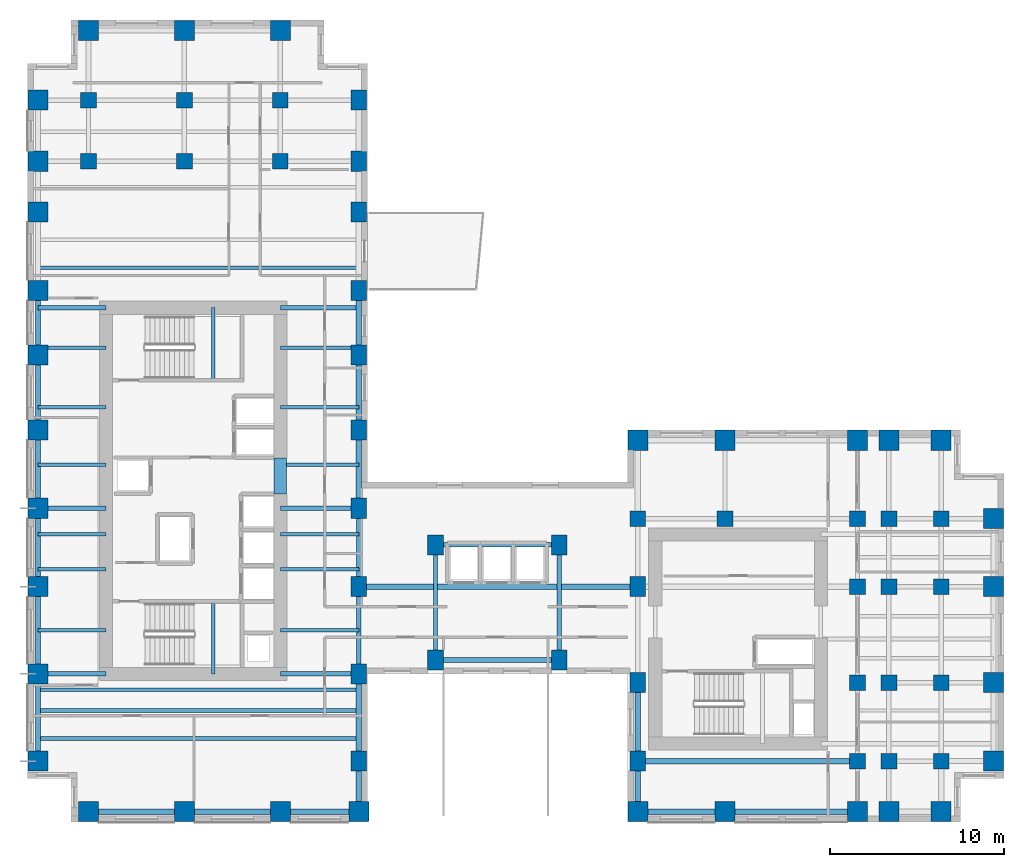
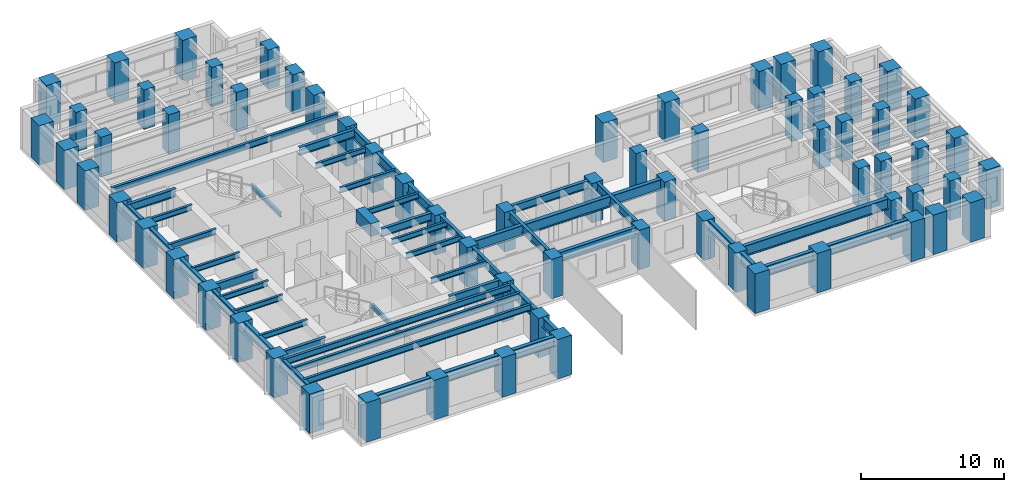
# One storey, part 1 of 11: 68 columns, 51 beams.
"""IFC4 building model written with IfcOpenShell, lengths in metres."""

from ifc_helpers import new_model, si_unit, direction, frame, origin, origin_2d, place, context, subcontext, project, spatial, rectangle, i_section, extrude, source, transform, mapped, material, material_profile, profile_set, type_object, element, save


model = new_model("IFC4")

# Units and contexts
model_context = context("Model", 3, precision=1e-05, world=origin(), true_north=direction((0.0, 1.0)))
body_context = subcontext(model_context, "Body", "Model", "MODEL_VIEW")
ifc_project = project(units=[si_unit("LENGTHUNIT", "METRE"), si_unit("AREAUNIT", "SQUARE_METRE"), si_unit("VOLUMEUNIT", "CUBIC_METRE"), si_unit("PLANEANGLEUNIT", "RADIAN"), si_unit("MASSUNIT", "GRAM", prefix="KILO")], contexts=[model_context])

# Site, building, storey
site_placement = place(None, origin())
site = spatial("IfcSite", under=ifc_project, at=site_placement, CompositionType="ELEMENT")
building_placement = place(site_placement, origin())
building = spatial("IfcBuilding", under=site, at=building_placement, Name="Kharzan Plaza Tower", CompositionType="ELEMENT")
storey_placement = place(building_placement, frame((0.0, 0.0, 113.39990234375)))
storey = spatial("IfcBuildingStorey", under=building, at=storey_placement, Name="L30", CompositionType="ELEMENT", Elevation=113.39990234375)

# Columns
ifc_material_1 = material(Name="Concrete C50/60", Category="concrete")
ifc_material_profile_1 = material_profile(ifc_material_1, rectangle(XDim=0.89990234375, YDim=0.89990234375, at=origin_2d()), Name="RC-IC900x900")
ifc_profile_set_1 = profile_set([ifc_material_profile_1], Name="Concrete C50/60")
column_type_1 = type_object("IfcColumnType", Name="COL-IC900", PredefinedType="COLUMN", material=ifc_profile_set_1)
shared_shape_1 = source(origin(), body_context, "Body", "SweptSolid", [
    extrude(rectangle(XDim=0.89990234375, YDim=0.89990234375, at=origin_2d()), origin(), (0.0, 0.0, 1.0), 3.380126953125),
])
for number, where, z_axis, x_axis, name in (
    (1, (47.60009765625, 13.5, 0.0), (0.0, 0.0, 1.0), (1.0, 0.0, 0.0), "L30 Structural Column TCBI-135"),
    (2, (47.60009765625, 3.5, 0.0), (0.0, 0.0, 1.0), (1.0, 0.0, 0.0), "L30 Structural Column TCBI-35"),
    (3, (47.60009765625, 8.0, 0.0), (0.0, 0.0, 1.0), (1.0, 0.0, 0.0), "L30 Structural Column TCBI-80"),
    (4, (35.0, 17.39990234375, 0.0), (0.0, 0.0, 1.0), (1.0, 0.0, 0.0), "L30 Structural Column TCBN-350-174"),
    (5, (40.0, 17.39990234375, 0.0), (0.0, 0.0, 1.0), (1.0, 0.0, 0.0), "L30 Structural Column TCBN-400-174"),
    (6, (47.60009765625, 17.39990234375, 0.0), (0.0, 0.0, 1.0), (1.0, 0.0, 0.0), "L30 Structural Column TCBN-476-174"),
    (7, (49.39990234375, 13.5, 0.0), (0.0, 0.0, 1.0), (1.0, 0.0, 0.0), "L30 Structural Column TCE-494-135"),
    (8, (49.39990234375, 17.39990234375, 0.0), (0.0, 0.0, 1.0), (1.0, 0.0, 0.0), "L30 Structural Column TCE-494-174"),
    (9, (49.39990234375, 3.5, 0.0), (0.0, 0.0, 1.0), (1.0, 0.0, 0.0), "L30 Structural Column TCE-494-35"),
    (10, (49.39990234375, 8.0, 0.0), (0.0, 0.0, 1.0), (1.0, 0.0, 0.0), "L30 Structural Column TCE-494-80"),
    (11, (52.39990234375, 13.5, 0.0), (0.0, 0.0, 1.0), (1.0, 0.0, 0.0), "L30 Structural Column TCE-524-135"),
    (12, (52.39990234375, 17.39990234375, 0.0), (0.0, 0.0, 1.0), (1.0, 0.0, 0.0), "L30 Structural Column TCE-524-174"),
    (13, (52.39990234375, 3.5, 0.0), (0.0, 0.0, 1.0), (1.0, 0.0, 0.0), "L30 Structural Column TCE-524-35"),
    (14, (52.39990234375, 8.0, 0.0), (0.0, 0.0, 1.0), (1.0, 0.0, 0.0), "L30 Structural Column TCE-524-80"),
    (15, (14.5, 37.89990234375, 0.0), (0.0, 0.0, 1.0), (1.0, 0.0, 0.0), "L30 Structural Column TCN-145-379"),
    (16, (14.5, 41.39990234375, 0.0), (0.0, 0.0, 1.0), (1.0, 0.0, 0.0), "L30 Structural Column TCN-145-414"),
    (17, (3.5, 37.89990234375, 0.0), (0.0, 0.0, 1.0), (1.0, 0.0, 0.0), "L30 Structural Column TCN-35-379"),
    (18, (3.5, 41.39990234375, 0.0), (0.0, 0.0, 1.0), (1.0, 0.0, 0.0), "L30 Structural Column TCN-35-414"),
    (19, (9.0, 37.89990234375, 0.0), (0.0, 0.0, 1.0), (1.0, 0.0, 0.0), "L30 Structural Column TCN-90-379"),
    (20, (9.0, 41.39990234375, 0.0), (0.0, 0.0, 1.0), (1.0, 0.0, 0.0), "L30 Structural Column TCN-90-414"),
):
    element("IfcColumn", number, at=place(storey_placement, frame(where, z_axis=z_axis, x_axis=x_axis)), inside=storey, type_object=column_type_1, Name=name, PredefinedType="COLUMN", context=body_context, shape_type="MappedRepresentation", body=[
        mapped(shared_shape_1, transform((0.0, 0.0, 0.0), x_axis=(1.0, 0.0, 0.0), y_axis=(0.0, 1.0, 0.0), z_axis=(0.0, 0.0, 1.0))),
    ])
ifc_material_2 = material(Name="Concrete C60/75", Category="concrete")
ifc_material_profile_2 = material_profile(ifc_material_2, rectangle(XDim=0.89990234375, YDim=1.14990234375, at=origin_2d()), Name="RC-SC1150x900")
ifc_profile_set_2 = profile_set([ifc_material_profile_2], Name="Concrete C60/75")
column_type_2 = type_object("IfcColumnType", Name="COL-SC1150", PredefinedType="COLUMN", material=ifc_profile_set_2)
shared_shape_2 = source(origin(), body_context, "Body", "SweptSolid", [
    extrude(rectangle(XDim=0.89990234375, YDim=1.14990234375, at=origin_2d()), origin(), (0.0, 0.0, 1.0), 3.380126953125),
])
for number, where, z_axis, x_axis, name in (
    (21, (19.0, 13.5, 0.0), (0.0, 0.0, 1.0), (1.0, 0.0, 0.0), "L30 Structural Column TCA-135"),
    (22, (19.0, 18.0, 0.0), (0.0, 0.0, 1.0), (1.0, 0.0, 0.0), "L30 Structural Column TCA-180"),
    (23, (19.0, 22.5, 0.0), (0.0, 0.0, 1.0), (1.0, 0.0, 0.0), "L30 Structural Column TCA-225"),
    (24, (19.0, 26.800048828125, 0.0), (0.0, 0.0, 1.0), (1.0, 0.0, 0.0), "L30 Structural Column TCA-268"),
    (25, (19.0, 30.5, 0.0), (0.0, 0.0, 1.0), (1.0, 0.0, 0.0), "L30 Structural Column TCA-305"),
    (26, (19.0, 3.5, 0.0), (0.0, 0.0, 1.0), (1.0, 0.0, 0.0), "L30 Structural Column TCA-35"),
    (27, (19.0, 35.0, 0.0), (0.0, 0.0, 1.0), (1.0, 0.0, 0.0), "L30 Structural Column TCA-350"),
    (28, (19.0, 37.89990234375, 0.0), (0.0, 0.0, 1.0), (1.0, 0.0, 0.0), "L30 Structural Column TCA-379"),
    (29, (19.0, 41.39990234375, 0.0), (0.0, 0.0, 1.0), (1.0, 0.0, 0.0), "L30 Structural Column TCA-414"),
    (30, (19.0, 8.5, 0.0), (0.0, 0.0, 1.0), (1.0, 0.0, 0.0), "L30 Structural Column TCA-85"),
    (31, (35.0, 13.5, 0.0), (0.0, 0.0, 1.0), (1.0, 0.0, 0.0), "L30 Structural Column TCBS-135"),
    (32, (35.0, 3.5, 0.0), (0.0, 0.0, 1.0), (1.0, 0.0, 0.0), "L30 Structural Column TCBS-35"),
    (33, (35.0, 8.0, 0.0), (0.0, 0.0, 1.0), (1.0, 0.0, 0.0), "L30 Structural Column TCBS-80"),
    (34, (23.39990234375, 15.89990234375, 0.0), (0.0, 0.0, 1.0), (1.0, 0.0, 0.0), "L30 Structural Column TCSP-234-159"),
    (35, (23.39990234375, 9.300048828125, 0.0), (0.0, 0.0, 1.0), (1.0, 0.0, 0.0), "L30 Structural Column TCSP-234-93"),
    (36, (30.5, 15.89990234375, 0.0), (0.0, 0.0, 1.0), (1.0, 0.0, 0.0), "L30 Structural Column TCSP-305-159"),
    (37, (30.5, 9.300048828125, 0.0), (0.0, 0.0, 1.0), (1.0, 0.0, 0.0), "L30 Structural Column TCSP-305-93"),
):
    element("IfcColumn", number, at=place(storey_placement, frame(where, z_axis=z_axis, x_axis=x_axis)), inside=storey, type_object=column_type_2, Name=name, PredefinedType="COLUMN", context=body_context, shape_type="MappedRepresentation", body=[
        mapped(shared_shape_2, transform((0.0, 0.0, 0.0), x_axis=(1.0, 0.0, 0.0), y_axis=(0.0, 1.0, 0.0), z_axis=(0.0, 0.0, 1.0))),
    ])
ifc_material_profile_3 = material_profile(ifc_material_2, rectangle(XDim=1.14990234375, YDim=1.14990234375, at=origin_2d()), Name="RC-TC1150x1150")
ifc_profile_set_3 = profile_set([ifc_material_profile_3], Name="Concrete C60/75")
column_type_3 = type_object("IfcColumnType", Name="COL-TC1150", PredefinedType="COLUMN", material=ifc_profile_set_3)
shared_shape_3 = source(origin(), body_context, "Body", "SweptSolid", [
    extrude(rectangle(XDim=1.14990234375, YDim=1.14990234375, at=origin_2d()), origin(), (0.0, 0.0, 1.0), 3.380126953125),
])
for number, where, z_axis, x_axis, name in (
    (38, (35.0, 21.89990234375, 0.0), (0.0, 0.0, 1.0), (1.0, 0.0, 0.0), "L30 Structural Column TCBN-350-219"),
    (39, (40.0, 21.89990234375, 0.0), (0.0, 0.0, 1.0), (1.0, 0.0, 0.0), "L30 Structural Column TCBN-400-219"),
    (40, (47.60009765625, 21.89990234375, 0.0), (0.0, 0.0, 1.0), (1.0, 0.0, 0.0), "L30 Structural Column TCBN-476-219"),
    (41, (49.39990234375, 21.89990234375, 0.0), (0.0, 0.0, 1.0), (1.0, 0.0, 0.0), "L30 Structural Column TCBN-494-219"),
    (42, (52.39990234375, 21.89990234375, 0.0), (0.0, 0.0, 1.0), (1.0, 0.0, 0.0), "L30 Structural Column TCBN-524-219"),
    (43, (55.39990234375, 13.5, 0.0), (0.0, 0.0, 1.0), (1.0, 0.0, 0.0), "L30 Structural Column TCE-554-135"),
    (44, (55.39990234375, 17.39990234375, 0.0), (0.0, 0.0, 1.0), (1.0, 0.0, 0.0), "L30 Structural Column TCE-554-174"),
    (45, (55.39990234375, 3.5, 0.0), (0.0, 0.0, 1.0), (1.0, 0.0, 0.0), "L30 Structural Column TCE-554-35"),
    (46, (55.39990234375, 8.0, 0.0), (0.0, 0.0, 1.0), (1.0, 0.0, 0.0), "L30 Structural Column TCE-554-80"),
    (47, (14.5, 45.39990234375, 0.0), (0.0, 0.0, 1.0), (1.0, 0.0, 0.0), "L30 Structural Column TCN-145-454"),
    (48, (3.5, 45.39990234375, 0.0), (0.0, 0.0, 1.0), (1.0, 0.0, 0.0), "L30 Structural Column TCN-35-454"),
    (49, (9.0, 45.39990234375, 0.0), (0.0, 0.0, 1.0), (1.0, 0.0, 0.0), "L30 Structural Column TCN-90-454"),
    (50, (14.5, 0.60009765625, 0.0), (0.0, 0.0, 1.0), (1.0, 0.0, 0.0), "L30 Structural Column TCS-145"),
    (51, (19.0, 0.60009765625, 0.0), (0.0, 0.0, 1.0), (1.0, 0.0, 0.0), "L30 Structural Column TCS-190"),
    (52, (3.5, 0.60009765625, 0.0), (0.0, 0.0, 1.0), (1.0, 0.0, 0.0), "L30 Structural Column TCS-35"),
    (53, (35.0, 0.60009765625, 0.0), (0.0, 0.0, 1.0), (1.0, 0.0, 0.0), "L30 Structural Column TCS-350"),
    (54, (40.0, 0.60009765625, 0.0), (0.0, 0.0, 1.0), (1.0, 0.0, 0.0), "L30 Structural Column TCS-400"),
    (55, (47.60009765625, 0.60009765625, 0.0), (0.0, 0.0, 1.0), (1.0, 0.0, 0.0), "L30 Structural Column TCS-476"),
    (56, (49.39990234375, 0.60009765625, 0.0), (0.0, 0.0, 1.0), (1.0, 0.0, 0.0), "L30 Structural Column TCS-494"),
    (57, (52.39990234375, 0.60009765625, 0.0), (0.0, 0.0, 1.0), (1.0, 0.0, 0.0), "L30 Structural Column TCS-524"),
    (58, (9.0, 0.60009765625, 0.0), (0.0, 0.0, 1.0), (1.0, 0.0, 0.0), "L30 Structural Column TCS-90"),
    (59, (0.60009765625, 13.5, 0.0), (0.0, 0.0, 1.0), (1.0, 0.0, 0.0), "L30 Structural Column TCW-135"),
    (60, (0.60009765625, 18.0, 0.0), (0.0, 0.0, 1.0), (1.0, 0.0, 0.0), "L30 Structural Column TCW-180"),
    (61, (0.60009765625, 22.5, 0.0), (0.0, 0.0, 1.0), (1.0, 0.0, 0.0), "L30 Structural Column TCW-225"),
    (62, (0.60009765625, 26.800048828125, 0.0), (0.0, 0.0, 1.0), (1.0, 0.0, 0.0), "L30 Structural Column TCW-268"),
    (63, (0.60009765625, 30.5, 0.0), (0.0, 0.0, 1.0), (1.0, 0.0, 0.0), "L30 Structural Column TCW-305"),
    (64, (0.60009765625, 3.5, 0.0), (0.0, 0.0, 1.0), (1.0, 0.0, 0.0), "L30 Structural Column TCW-35"),
    (65, (0.60009765625, 35.0, 0.0), (0.0, 0.0, 1.0), (1.0, 0.0, 0.0), "L30 Structural Column TCW-350"),
    (66, (0.60009765625, 37.89990234375, 0.0), (0.0, 0.0, 1.0), (1.0, 0.0, 0.0), "L30 Structural Column TCW-379"),
    (67, (0.60009765625, 41.39990234375, 0.0), (0.0, 0.0, 1.0), (1.0, 0.0, 0.0), "L30 Structural Column TCW-414"),
    (68, (0.60009765625, 8.5, 0.0), (0.0, 0.0, 1.0), (1.0, 0.0, 0.0), "L30 Structural Column TCW-85"),
):
    element("IfcColumn", number, at=place(storey_placement, frame(where, z_axis=z_axis, x_axis=x_axis)), inside=storey, type_object=column_type_3, Name=name, PredefinedType="COLUMN", context=body_context, shape_type="MappedRepresentation", body=[
        mapped(shared_shape_3, transform((0.0, 0.0, 0.0), x_axis=(1.0, 0.0, 0.0), y_axis=(0.0, 1.0, 0.0), z_axis=(0.0, 0.0, 1.0))),
    ])

# Beams
ifc_material_profile_4 = material_profile(ifc_material_2, rectangle(XDim=0.699951171875, YDim=1.10009765625, at=origin_2d()), Name="RC-CB1100x700")
ifc_profile_set_4 = profile_set([ifc_material_profile_4], Name="Concrete C60/75")
beam_type_1 = type_object("IfcBeamType", Name="BM-RCCB1100", PredefinedType="LINTEL", material=ifc_profile_set_4)
shared_shape_4 = source(origin(), body_context, "Body", "SweptSolid", [
    extrude(rectangle(XDim=0.699951171875, YDim=1.10009765625, at=origin_2d()), origin(), (0.0, 0.0, 1.0), 2.059814453125),
])
beam_1_placement = place(storey_placement, frame((14.5, 18.820068359375, 2.830078125), z_axis=(0.0, 1.0, 0.0), x_axis=(-1.0, 0.0, 0.0)))
element("IfcBeam", 69, at=beam_1_placement, inside=storey, type_object=beam_type_1, Name="L30 CORE-A RC coupling beam CB1", PredefinedType="LINTEL", context=body_context, shape_type="MappedRepresentation", body=[
    mapped(shared_shape_4, transform((0.0, 0.0, 0.0), x_axis=(1.0, 0.0, 0.0), y_axis=(0.0, 1.0, 0.0), z_axis=(0.0, 0.0, 1.0))),
])
ifc_material_3 = material(Name="Steel S355", Category="steel")
ifc_material_profile_5 = material_profile(ifc_material_3, i_section(OverallWidth=0.205078125, OverallDepth=0.35400390625, WebThickness=0.009521484375, FlangeThickness=0.016845703125, at=origin_2d()), Name="W360x79")
ifc_profile_set_5 = profile_set([ifc_material_profile_5], Name="Steel S355")
beam_type_2 = type_object("IfcBeamType", Name="BM-LNT360", PredefinedType="LINTEL", material=ifc_profile_set_5)
shared_shape_5 = source(origin(), body_context, "Body", "SweptSolid", [
    extrude(i_section(OverallWidth=0.205078125, OverallDepth=0.35400390625, WebThickness=0.009521484375, FlangeThickness=0.016845703125, at=origin_2d()), origin(), (0.0, 0.0, 1.0), 4.155029296875),
])
for number, where, z_axis, x_axis, name in (
    (70, (10.64990234375, 8.5, 1.423095703125), (0.0, 1.0, 0.0), (-1.0, 0.0, 0.0), "L30 Stair ST-1 Half-Landing Beam"),
    (71, (10.64990234375, 25.344970703125, 1.423095703125), (0.0, 1.0, 0.0), (-1.0, 0.0, 0.0), "L30 Stair ST-2 Half-Landing Beam"),
):
    element("IfcBeam", number, at=place(storey_placement, frame(where, z_axis=z_axis, x_axis=x_axis)), inside=storey, type_object=beam_type_2, Name=name, PredefinedType="LINTEL", context=body_context, shape_type="MappedRepresentation", body=[
        mapped(shared_shape_5, transform((0.0, 0.0, 0.0), x_axis=(1.0, 0.0, 0.0), y_axis=(0.0, 1.0, 0.0), z_axis=(0.0, 0.0, 1.0))),
    ])
ifc_material_profile_6 = material_profile(ifc_material_3, i_section(OverallWidth=0.304931640625, OverallDepth=0.9189453125, WebThickness=0.017333984375, FlangeThickness=0.02783203125, at=origin_2d()), Name="W920x253")
ifc_profile_set_6 = profile_set([ifc_material_profile_6], Name="Steel S355")
beam_type_3 = type_object("IfcBeamType", Name="BM-FG920B", PredefinedType="BEAM", material=ifc_profile_set_6)
shared_shape_6 = source(origin(), body_context, "Body", "SweptSolid", [
    extrude(i_section(OverallWidth=0.304931640625, OverallDepth=0.9189453125, WebThickness=0.017333984375, FlangeThickness=0.02783203125, at=origin_2d()), origin(), (0.0, 0.0, 1.0), 12.60009765625),
])
beam_2_placement = place(storey_placement, frame((35.0, 3.5, 2.920654296875), z_axis=(1.0, 0.0, 0.0), x_axis=(0.0, 1.0, 0.0)))
element("IfcBeam", 72, at=beam_2_placement, inside=storey, type_object=beam_type_3, Name="L30 Primary Floor Girder", PredefinedType="BEAM", context=body_context, shape_type="MappedRepresentation", body=[
    mapped(shared_shape_6, transform((0.0, 0.0, 0.0), x_axis=(1.0, 0.0, 0.0), y_axis=(0.0, 1.0, 0.0), z_axis=(0.0, 0.0, 1.0))),
])
shared_shape_7 = source(origin(), body_context, "Body", "SweptSolid", [
    extrude(i_section(OverallWidth=0.304931640625, OverallDepth=0.9189453125, WebThickness=0.017333984375, FlangeThickness=0.02783203125, at=origin_2d()), origin(), (0.0, 0.0, 1.0), 16.0),
])
beam_3_placement = place(storey_placement, frame((19.0, 13.5, 2.920654296875), z_axis=(1.0, 0.0, 0.0), x_axis=(0.0, 1.0, 0.0)))
element("IfcBeam", 73, at=beam_3_placement, inside=storey, type_object=beam_type_3, Name="L30 Primary Floor Girder", PredefinedType="BEAM", context=body_context, shape_type="MappedRepresentation", body=[
    mapped(shared_shape_7, transform((0.0, 0.0, 0.0), x_axis=(1.0, 0.0, 0.0), y_axis=(0.0, 1.0, 0.0), z_axis=(0.0, 0.0, 1.0))),
])
ifc_material_profile_7 = material_profile(ifc_material_3, i_section(OverallWidth=0.2099609375, OverallDepth=0.537109375, WebThickness=0.010986328125, FlangeThickness=0.017333984375, at=origin_2d()), Name="W530x101")
ifc_profile_set_7 = profile_set([ifc_material_profile_7], Name="Steel S355")
beam_type_4 = type_object("IfcBeamType", Name="BM-JST530B", PredefinedType="JOIST", material=ifc_profile_set_7)
shared_shape_8 = source(origin(), body_context, "Body", "SweptSolid", [
    extrude(i_section(OverallWidth=0.2099609375, OverallDepth=0.537109375, WebThickness=0.010986328125, FlangeThickness=0.017333984375, at=origin_2d()), origin(), (0.0, 0.0, 1.0), 18.39990234375),
])
for number, where, z_axis, x_axis, name in (
    (74, (0.60009765625, 4.800048828125, 3.111572265625), (1.0, 0.0, 0.0), (0.0, 1.0, 0.0), "L30 Wing A Composite Joist 01"),
    (75, (0.60009765625, 6.39990234375, 3.111572265625), (1.0, 0.0, 0.0), (0.0, 1.0, 0.0), "L30 Wing A Composite Joist 02"),
    (76, (0.60009765625, 7.60009765625, 3.111572265625), (1.0, 0.0, 0.0), (0.0, 1.0, 0.0), "L30 Wing A Composite Joist 03"),
    (77, (0.60009765625, 31.800048828125, 3.111572265625), (1.0, 0.0, 0.0), (0.0, 1.0, 0.0), "L30 Wing A Composite Joist 04"),
):
    element("IfcBeam", number, at=place(storey_placement, frame(where, z_axis=z_axis, x_axis=x_axis)), inside=storey, type_object=beam_type_4, Name=name, PredefinedType="JOIST", context=body_context, shape_type="MappedRepresentation", body=[
        mapped(shared_shape_8, transform((0.0, 0.0, 0.0), x_axis=(1.0, 0.0, 0.0), y_axis=(0.0, 1.0, 0.0), z_axis=(0.0, 0.0, 1.0))),
    ])
ifc_material_profile_8 = material_profile(ifc_material_3, i_section(OverallWidth=0.194091796875, OverallDepth=0.468994140625, WebThickness=0.011474609375, FlangeThickness=0.0205078125, at=origin_2d()), Name="W460x106")
ifc_profile_set_8 = profile_set([ifc_material_profile_8], Name="Steel S355")
beam_type_5 = type_object("IfcBeamType", Name="BM-JST460", PredefinedType="JOIST", material=ifc_profile_set_8)
shared_shape_9 = source(origin(), body_context, "Body", "SweptSolid", [
    extrude(i_section(OverallWidth=0.194091796875, OverallDepth=0.468994140625, WebThickness=0.011474609375, FlangeThickness=0.0205078125, at=origin_2d()), origin(), (0.0, 0.0, 1.0), 4.5),
])
for number, where, z_axis, x_axis, name in (
    (78, (14.5, 11.0, 3.1455078125), (1.0, 0.0, 0.0), (0.0, 1.0, 0.0), "L30 Wing A East Infill Joist 1"),
    (79, (14.5, 14.5, 3.1455078125), (1.0, 0.0, 0.0), (0.0, 1.0, 0.0), "L30 Wing A East Infill Joist 2"),
    (80, (14.5, 16.5, 3.1455078125), (1.0, 0.0, 0.0), (0.0, 1.0, 0.0), "L30 Wing A East Infill Joist 3"),
    (81, (14.5, 20.5, 3.1455078125), (1.0, 0.0, 0.0), (0.0, 1.0, 0.0), "L30 Wing A East Infill Joist 4"),
    (82, (14.5, 23.800048828125, 3.1455078125), (1.0, 0.0, 0.0), (0.0, 1.0, 0.0), "L30 Wing A East Infill Joist 5"),
    (83, (14.5, 27.199951171875, 3.1455078125), (1.0, 0.0, 0.0), (0.0, 1.0, 0.0), "L30 Wing A East Infill Joist 6"),
):
    element("IfcBeam", number, at=place(storey_placement, frame(where, z_axis=z_axis, x_axis=x_axis)), inside=storey, type_object=beam_type_5, Name=name, PredefinedType="JOIST", context=body_context, shape_type="MappedRepresentation", body=[
        mapped(shared_shape_9, transform((0.0, 0.0, 0.0), x_axis=(1.0, 0.0, 0.0), y_axis=(0.0, 1.0, 0.0), z_axis=(0.0, 0.0, 1.0))),
    ])
shared_shape_10 = source(origin(), body_context, "Body", "SweptSolid", [
    extrude(i_section(OverallWidth=0.194091796875, OverallDepth=0.468994140625, WebThickness=0.011474609375, FlangeThickness=0.0205078125, at=origin_2d()), origin(), (0.0, 0.0, 1.0), 3.89990234375),
])
for number, where, z_axis, x_axis, name in (
    (84, (0.60009765625, 11.0, 3.1455078125), (1.0, 0.0, 0.0), (0.0, 1.0, 0.0), "L30 Wing A West Infill Joist 1"),
    (85, (0.60009765625, 14.5, 3.1455078125), (1.0, 0.0, 0.0), (0.0, 1.0, 0.0), "L30 Wing A West Infill Joist 2"),
    (86, (0.60009765625, 16.5, 3.1455078125), (1.0, 0.0, 0.0), (0.0, 1.0, 0.0), "L30 Wing A West Infill Joist 3"),
    (87, (0.60009765625, 20.5, 3.1455078125), (1.0, 0.0, 0.0), (0.0, 1.0, 0.0), "L30 Wing A West Infill Joist 4"),
    (88, (0.60009765625, 23.800048828125, 3.1455078125), (1.0, 0.0, 0.0), (0.0, 1.0, 0.0), "L30 Wing A West Infill Joist 5"),
    (89, (0.60009765625, 27.199951171875, 3.1455078125), (1.0, 0.0, 0.0), (0.0, 1.0, 0.0), "L30 Wing A West Infill Joist 6"),
):
    element("IfcBeam", number, at=place(storey_placement, frame(where, z_axis=z_axis, x_axis=x_axis)), inside=storey, type_object=beam_type_5, Name=name, PredefinedType="JOIST", context=body_context, shape_type="MappedRepresentation", body=[
        mapped(shared_shape_10, transform((0.0, 0.0, 0.0), x_axis=(1.0, 0.0, 0.0), y_axis=(0.0, 1.0, 0.0), z_axis=(0.0, 0.0, 1.0))),
    ])
ifc_material_profile_9 = material_profile(ifc_material_3, i_section(OverallWidth=0.25390625, OverallDepth=0.68798828125, WebThickness=0.01318359375, FlangeThickness=0.02099609375, at=origin_2d()), Name="W690x152")
ifc_profile_set_9 = profile_set([ifc_material_profile_9], Name="Steel S355")
beam_type_6 = type_object("IfcBeamType", Name="BM-FG690B", PredefinedType="BEAM", material=ifc_profile_set_9)
shared_shape_11 = source(origin(), body_context, "Body", "SweptSolid", [
    extrude(i_section(OverallWidth=0.25390625, OverallDepth=0.68798828125, WebThickness=0.01318359375, FlangeThickness=0.02099609375, at=origin_2d()), origin(), (0.0, 0.0, 1.0), 4.5),
])
for number, where, z_axis, x_axis, name in (
    (90, (14.5, 8.5, 3.0361328125), (1.0, 0.0, 0.0), (0.0, 1.0, 0.0), "L30 Core-A East Floor Girder 1"),
    (91, (14.5, 18.0, 3.0361328125), (1.0, 0.0, 0.0), (0.0, 1.0, 0.0), "L30 Core-A East Floor Girder 2"),
    (92, (14.5, 29.5, 3.0361328125), (1.0, 0.0, 0.0), (0.0, 1.0, 0.0), "L30 Core-A East Floor Girder 3"),
    (93, (19.0, 13.5, 3.0361328125), (0.0, 1.0, 0.0), (-1.0, 0.0, 0.0), "L30 Interior Frame Girder"),
):
    element("IfcBeam", number, at=place(storey_placement, frame(where, z_axis=z_axis, x_axis=x_axis)), inside=storey, type_object=beam_type_6, Name=name, PredefinedType="BEAM", context=body_context, shape_type="MappedRepresentation", body=[
        mapped(shared_shape_11, transform((0.0, 0.0, 0.0), x_axis=(1.0, 0.0, 0.0), y_axis=(0.0, 1.0, 0.0), z_axis=(0.0, 0.0, 1.0))),
    ])
shared_shape_12 = source(origin(), body_context, "Body", "SweptSolid", [
    extrude(i_section(OverallWidth=0.25390625, OverallDepth=0.68798828125, WebThickness=0.01318359375, FlangeThickness=0.02099609375, at=origin_2d()), origin(), (0.0, 0.0, 1.0), 3.89990234375),
])
for number, where, z_axis, x_axis, name in (
    (94, (0.60009765625, 8.5, 3.0361328125), (1.0, 0.0, 0.0), (0.0, 1.0, 0.0), "L30 Core-A West Floor Girder 1"),
    (95, (0.60009765625, 18.0, 3.0361328125), (1.0, 0.0, 0.0), (0.0, 1.0, 0.0), "L30 Core-A West Floor Girder 2"),
    (96, (0.60009765625, 29.5, 3.0361328125), (1.0, 0.0, 0.0), (0.0, 1.0, 0.0), "L30 Core-A West Floor Girder 3"),
):
    element("IfcBeam", number, at=place(storey_placement, frame(where, z_axis=z_axis, x_axis=x_axis)), inside=storey, type_object=beam_type_6, Name=name, PredefinedType="BEAM", context=body_context, shape_type="MappedRepresentation", body=[
        mapped(shared_shape_12, transform((0.0, 0.0, 0.0), x_axis=(1.0, 0.0, 0.0), y_axis=(0.0, 1.0, 0.0), z_axis=(0.0, 0.0, 1.0))),
    ])
shared_shape_13 = source(origin(), body_context, "Body", "SweptSolid", [
    extrude(i_section(OverallWidth=0.25390625, OverallDepth=0.68798828125, WebThickness=0.01318359375, FlangeThickness=0.02099609375, at=origin_2d()), origin(), (0.0, 0.0, 1.0), 5.0),
])
beam_4_placement = place(storey_placement, frame((19.0, 8.5, 3.0361328125), z_axis=(0.0, 1.0, 0.0), x_axis=(-1.0, 0.0, 0.0)))
element("IfcBeam", 97, at=beam_4_placement, inside=storey, type_object=beam_type_6, Name="L30 Interior Frame Girder", PredefinedType="BEAM", context=body_context, shape_type="MappedRepresentation", body=[
    mapped(shared_shape_13, transform((0.0, 0.0, 0.0), x_axis=(1.0, 0.0, 0.0), y_axis=(0.0, 1.0, 0.0), z_axis=(0.0, 0.0, 1.0))),
])
shared_shape_14 = source(origin(), body_context, "Body", "SweptSolid", [
    extrude(i_section(OverallWidth=0.25390625, OverallDepth=0.68798828125, WebThickness=0.01318359375, FlangeThickness=0.02099609375, at=origin_2d()), origin(), (0.0, 0.0, 1.0), 6.599853515625),
])
for number, where, z_axis, x_axis, name in (
    (98, (23.39990234375, 9.300048828125, 3.0361328125), (0.0, 1.0, 0.0), (-1.0, 0.0, 0.0), "L30 Interior Frame Girder"),
    (99, (30.5, 9.300048828125, 3.0361328125), (0.0, 1.0, 0.0), (-1.0, 0.0, 0.0), "L30 Interior Frame Girder"),
):
    element("IfcBeam", number, at=place(storey_placement, frame(where, z_axis=z_axis, x_axis=x_axis)), inside=storey, type_object=beam_type_6, Name=name, PredefinedType="BEAM", context=body_context, shape_type="MappedRepresentation", body=[
        mapped(shared_shape_14, transform((0.0, 0.0, 0.0), x_axis=(1.0, 0.0, 0.0), y_axis=(0.0, 1.0, 0.0), z_axis=(0.0, 0.0, 1.0))),
    ])
shared_shape_15 = source(origin(), body_context, "Body", "SweptSolid", [
    extrude(i_section(OverallWidth=0.25390625, OverallDepth=0.68798828125, WebThickness=0.01318359375, FlangeThickness=0.02099609375, at=origin_2d()), origin(), (0.0, 0.0, 1.0), 7.10009765625),
])
beam_5_placement = place(storey_placement, frame((23.39990234375, 15.89990234375, 3.0361328125), z_axis=(1.0, 0.0, 0.0), x_axis=(0.0, 1.0, 0.0)))
element("IfcBeam", 100, at=beam_5_placement, inside=storey, type_object=beam_type_6, Name="L30 Primary Floor Girder", PredefinedType="BEAM", context=body_context, shape_type="MappedRepresentation", body=[
    mapped(shared_shape_15, transform((0.0, 0.0, 0.0), x_axis=(1.0, 0.0, 0.0), y_axis=(0.0, 1.0, 0.0), z_axis=(0.0, 0.0, 1.0))),
])
ifc_material_profile_10 = material_profile(ifc_material_3, i_section(OverallWidth=0.299072265625, OverallDepth=0.845947265625, WebThickness=0.015380859375, FlangeThickness=0.0244140625, at=origin_2d()), Name="W840x210")
ifc_profile_set_10 = profile_set([ifc_material_profile_10], Name="Steel S355")
beam_type_7 = type_object("IfcBeamType", Name="BM-SP840B", PredefinedType="SPANDREL", material=ifc_profile_set_10)
shared_shape_16 = source(origin(), body_context, "Body", "SweptSolid", [
    extrude(i_section(OverallWidth=0.299072265625, OverallDepth=0.845947265625, WebThickness=0.015380859375, FlangeThickness=0.0244140625, at=origin_2d()), origin(), (0.0, 0.0, 1.0), 5.0),
])
for number, where, z_axis, x_axis, name in (
    (101, (0.60009765625, 3.5, 2.95703125), (0.0, 1.0, 0.0), (-1.0, 0.0, 0.0), "L30 Perimeter Tube Spandrel"),
    (102, (0.60009765625, 8.5, 2.95703125), (0.0, 1.0, 0.0), (-1.0, 0.0, 0.0), "L30 Perimeter Tube Spandrel"),
    (103, (19.0, 3.5, 2.95703125), (0.0, 1.0, 0.0), (-1.0, 0.0, 0.0), "L30 Perimeter Tube Spandrel"),
    (104, (35.0, 0.60009765625, 2.95703125), (1.0, 0.0, 0.0), (0.0, 1.0, 0.0), "L30 Perimeter Tube Spandrel"),
):
    element("IfcBeam", number, at=place(storey_placement, frame(where, z_axis=z_axis, x_axis=x_axis)), inside=storey, type_object=beam_type_7, Name=name, PredefinedType="SPANDREL", context=body_context, shape_type="MappedRepresentation", body=[
        mapped(shared_shape_16, transform((0.0, 0.0, 0.0), x_axis=(1.0, 0.0, 0.0), y_axis=(0.0, 1.0, 0.0), z_axis=(0.0, 0.0, 1.0))),
    ])
shared_shape_17 = source(origin(), body_context, "Body", "SweptSolid", [
    extrude(i_section(OverallWidth=0.299072265625, OverallDepth=0.845947265625, WebThickness=0.015380859375, FlangeThickness=0.0244140625, at=origin_2d()), origin(), (0.0, 0.0, 1.0), 4.5),
])
for number, where, z_axis, x_axis, name in (
    (105, (0.60009765625, 13.5, 2.95703125), (0.0, 1.0, 0.0), (-1.0, 0.0, 0.0), "L30 Perimeter Tube Spandrel"),
    (106, (0.60009765625, 18.0, 2.95703125), (0.0, 1.0, 0.0), (-1.0, 0.0, 0.0), "L30 Perimeter Tube Spandrel"),
    (107, (19.0, 18.0, 2.95703125), (0.0, 1.0, 0.0), (-1.0, 0.0, 0.0), "L30 Perimeter Tube Spandrel"),
    (108, (35.0, 3.5, 2.95703125), (0.0, 1.0, 0.0), (-1.0, 0.0, 0.0), "L30 Perimeter Tube Spandrel"),
    (109, (14.5, 0.60009765625, 2.95703125), (1.0, 0.0, 0.0), (0.0, 1.0, 0.0), "L30 Perimeter Tube Spandrel"),
):
    element("IfcBeam", number, at=place(storey_placement, frame(where, z_axis=z_axis, x_axis=x_axis)), inside=storey, type_object=beam_type_7, Name=name, PredefinedType="SPANDREL", context=body_context, shape_type="MappedRepresentation", body=[
        mapped(shared_shape_17, transform((0.0, 0.0, 0.0), x_axis=(1.0, 0.0, 0.0), y_axis=(0.0, 1.0, 0.0), z_axis=(0.0, 0.0, 1.0))),
    ])
shared_shape_18 = source(origin(), body_context, "Body", "SweptSolid", [
    extrude(i_section(OverallWidth=0.299072265625, OverallDepth=0.845947265625, WebThickness=0.015380859375, FlangeThickness=0.0244140625, at=origin_2d()), origin(), (0.0, 0.0, 1.0), 4.300048828125),
])
for number, where, z_axis, x_axis, name in (
    (110, (0.60009765625, 22.5, 2.95703125), (0.0, 1.0, 0.0), (-1.0, 0.0, 0.0), "L30 Perimeter Tube Spandrel"),
    (111, (19.0, 22.5, 2.95703125), (0.0, 1.0, 0.0), (-1.0, 0.0, 0.0), "L30 Perimeter Tube Spandrel"),
):
    element("IfcBeam", number, at=place(storey_placement, frame(where, z_axis=z_axis, x_axis=x_axis)), inside=storey, type_object=beam_type_7, Name=name, PredefinedType="SPANDREL", context=body_context, shape_type="MappedRepresentation", body=[
        mapped(shared_shape_18, transform((0.0, 0.0, 0.0), x_axis=(1.0, 0.0, 0.0), y_axis=(0.0, 1.0, 0.0), z_axis=(0.0, 0.0, 1.0))),
    ])
shared_shape_19 = source(origin(), body_context, "Body", "SweptSolid", [
    extrude(i_section(OverallWidth=0.299072265625, OverallDepth=0.845947265625, WebThickness=0.015380859375, FlangeThickness=0.0244140625, at=origin_2d()), origin(), (0.0, 0.0, 1.0), 3.699951171875),
])
for number, where, z_axis, x_axis, name in (
    (112, (0.60009765625, 26.800048828125, 2.95703125), (0.0, 1.0, 0.0), (-1.0, 0.0, 0.0), "L30 Perimeter Tube Spandrel"),
    (113, (19.0, 26.800048828125, 2.95703125), (0.0, 1.0, 0.0), (-1.0, 0.0, 0.0), "L30 Perimeter Tube Spandrel"),
):
    element("IfcBeam", number, at=place(storey_placement, frame(where, z_axis=z_axis, x_axis=x_axis)), inside=storey, type_object=beam_type_7, Name=name, PredefinedType="SPANDREL", context=body_context, shape_type="MappedRepresentation", body=[
        mapped(shared_shape_19, transform((0.0, 0.0, 0.0), x_axis=(1.0, 0.0, 0.0), y_axis=(0.0, 1.0, 0.0), z_axis=(0.0, 0.0, 1.0))),
    ])
shared_shape_20 = source(origin(), body_context, "Body", "SweptSolid", [
    extrude(i_section(OverallWidth=0.299072265625, OverallDepth=0.845947265625, WebThickness=0.015380859375, FlangeThickness=0.0244140625, at=origin_2d()), origin(), (0.0, 0.0, 1.0), 2.89990234375),
])
for number, where, z_axis, x_axis, name in (
    (114, (19.0, 0.60009765625, 2.95703125), (0.0, 1.0, 0.0), (-1.0, 0.0, 0.0), "L30 Perimeter Tube Spandrel"),
    (115, (35.0, 0.60009765625, 2.95703125), (0.0, 1.0, 0.0), (-1.0, 0.0, 0.0), "L30 Perimeter Tube Spandrel"),
):
    element("IfcBeam", number, at=place(storey_placement, frame(where, z_axis=z_axis, x_axis=x_axis)), inside=storey, type_object=beam_type_7, Name=name, PredefinedType="SPANDREL", context=body_context, shape_type="MappedRepresentation", body=[
        mapped(shared_shape_20, transform((0.0, 0.0, 0.0), x_axis=(1.0, 0.0, 0.0), y_axis=(0.0, 1.0, 0.0), z_axis=(0.0, 0.0, 1.0))),
    ])
shared_shape_21 = source(origin(), body_context, "Body", "SweptSolid", [
    extrude(i_section(OverallWidth=0.299072265625, OverallDepth=0.845947265625, WebThickness=0.015380859375, FlangeThickness=0.0244140625, at=origin_2d()), origin(), (0.0, 0.0, 1.0), 5.5),
])
for number, where, z_axis, x_axis, name in (
    (116, (3.5, 0.60009765625, 2.95703125), (1.0, 0.0, 0.0), (0.0, 1.0, 0.0), "L30 Perimeter Tube Spandrel"),
    (117, (9.0, 0.60009765625, 2.95703125), (1.0, 0.0, 0.0), (0.0, 1.0, 0.0), "L30 Perimeter Tube Spandrel"),
):
    element("IfcBeam", number, at=place(storey_placement, frame(where, z_axis=z_axis, x_axis=x_axis)), inside=storey, type_object=beam_type_7, Name=name, PredefinedType="SPANDREL", context=body_context, shape_type="MappedRepresentation", body=[
        mapped(shared_shape_21, transform((0.0, 0.0, 0.0), x_axis=(1.0, 0.0, 0.0), y_axis=(0.0, 1.0, 0.0), z_axis=(0.0, 0.0, 1.0))),
    ])
shared_shape_22 = source(origin(), body_context, "Body", "SweptSolid", [
    extrude(i_section(OverallWidth=0.299072265625, OverallDepth=0.845947265625, WebThickness=0.015380859375, FlangeThickness=0.0244140625, at=origin_2d()), origin(), (0.0, 0.0, 1.0), 7.60009765625),
])
beam_6_placement = place(storey_placement, frame((40.0, 0.60009765625, 2.95703125), z_axis=(1.0, 0.0, 0.0), x_axis=(0.0, 1.0, 0.0)))
element("IfcBeam", 118, at=beam_6_placement, inside=storey, type_object=beam_type_7, Name="L30 Perimeter Tube Spandrel", PredefinedType="SPANDREL", context=body_context, shape_type="MappedRepresentation", body=[
    mapped(shared_shape_22, transform((0.0, 0.0, 0.0), x_axis=(1.0, 0.0, 0.0), y_axis=(0.0, 1.0, 0.0), z_axis=(0.0, 0.0, 1.0))),
])
shared_shape_23 = source(origin(), body_context, "Body", "SweptSolid", [
    extrude(i_section(OverallWidth=0.299072265625, OverallDepth=0.845947265625, WebThickness=0.015380859375, FlangeThickness=0.0244140625, at=origin_2d()), origin(), (0.0, 0.0, 1.0), 7.10009765625),
])
beam_7_placement = place(storey_placement, frame((23.39990234375, 9.300048828125, 2.95703125), z_axis=(1.0, 0.0, 0.0), x_axis=(0.0, 1.0, 0.0)))
element("IfcBeam", 119, at=beam_7_placement, inside=storey, type_object=beam_type_7, Name="L30 Perimeter Tube Spandrel", PredefinedType="SPANDREL", context=body_context, shape_type="MappedRepresentation", body=[
    mapped(shared_shape_23, transform((0.0, 0.0, 0.0), x_axis=(1.0, 0.0, 0.0), y_axis=(0.0, 1.0, 0.0), z_axis=(0.0, 0.0, 1.0))),
])

save(model, "model.ifc")
